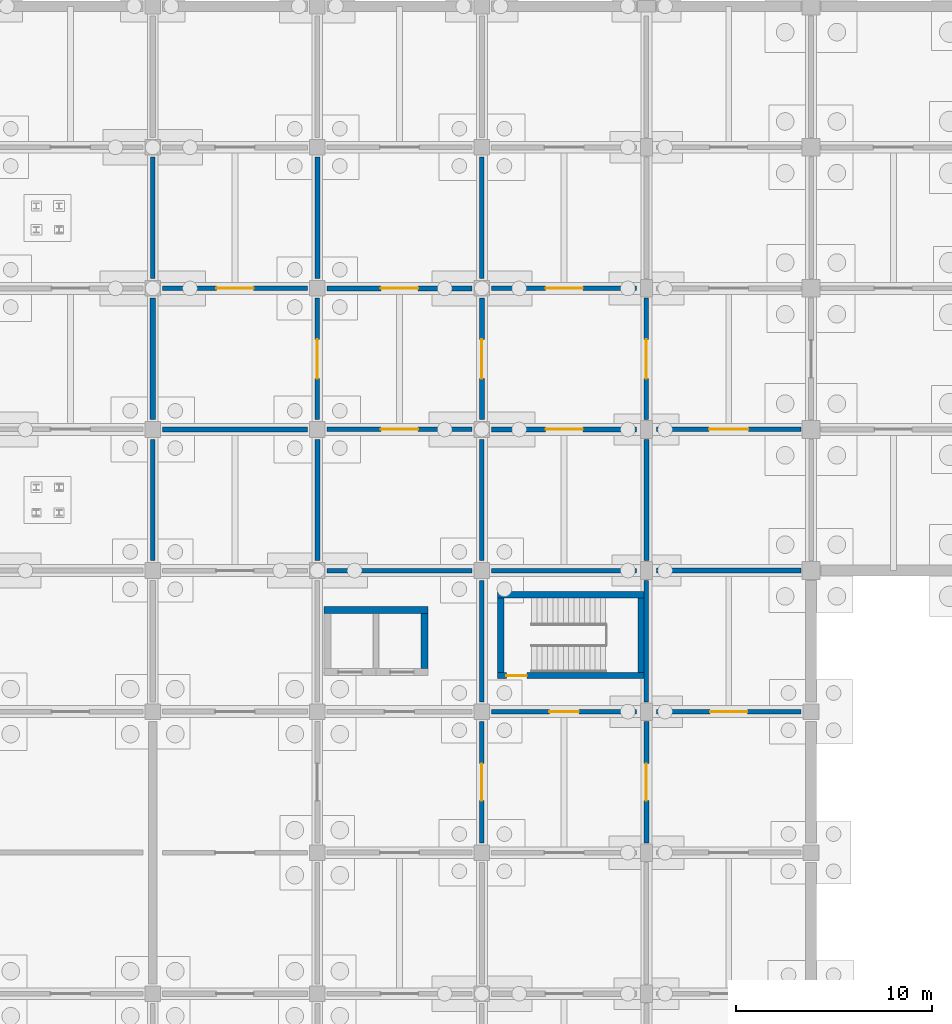
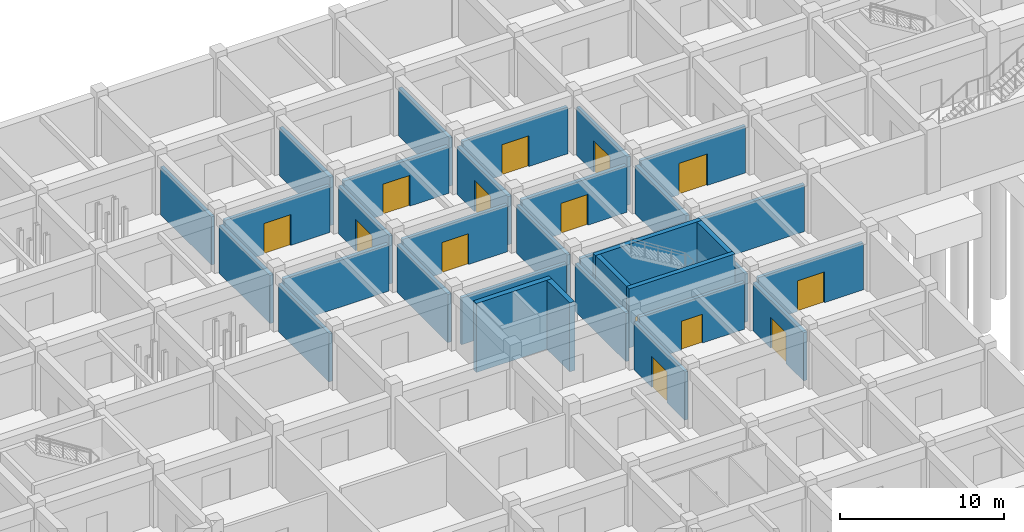
# One storey, part 27 of 38: 33 walls, 14 doors, 14 openings.
"""IFC4 building model written with IfcOpenShell, lengths in metres."""

from ifc_helpers import new_model, si_unit, derived_unit, direction, frame, frame_2d, origin, place, context, subcontext, project, spatial, rectangle, extrude, material, layer, layer_set, type_object, element, fill, save


model = new_model("IFC4")

# Units and contexts
model_context = context("Model", 3, precision=1e-05, world=origin(), true_north=direction((0.0, 1.0)))
body_context = subcontext(model_context, "Body", "Model", "MODEL_VIEW")
ifc_project = project(units=[si_unit("LENGTHUNIT", "METRE"), si_unit("AREAUNIT", "SQUARE_METRE"), si_unit("VOLUMEUNIT", "CUBIC_METRE"), si_unit("PLANEANGLEUNIT", "RADIAN"), si_unit("MASSUNIT", "GRAM", prefix="KILO"), derived_unit("THERMALTRANSMITTANCEUNIT", [(si_unit("MASSUNIT", "GRAM", prefix="KILO"), 1), (si_unit("TIMEUNIT", "SECOND"), -3), (si_unit("THERMODYNAMICTEMPERATUREUNIT", "KELVIN"), -1)])], contexts=[model_context])

# Site, building, storey
site_placement = place(None, origin())
site = spatial("IfcSite", under=ifc_project, at=site_placement, CompositionType="ELEMENT")
building_placement = place(site_placement, origin())
building = spatial("IfcBuilding", under=site, at=building_placement, Name="Veldstrom Oceanarium and Marine Research Institute", CompositionType="ELEMENT")
storey_placement = place(building_placement, frame((0.0, 0.0, -9.60009765625)))
storey = spatial("IfcBuildingStorey", under=building, at=storey_placement, Name="B02", CompositionType="ELEMENT", Elevation=-9.60009765625)

# Walls
ifc_material_1 = material(Name="Masonry Fire Compartment Wall", Category="masonry")
ifc_layer_1 = layer(ifc_material_1, 0.22998046875)
ifc_layer_set_1 = layer_set([ifc_layer_1], Name="ARC-WAL-PT1")
wall_type_1 = type_object("IfcWallType", Name="ARC-WAL-PT1", PredefinedType="PARTITIONING", material=ifc_layer_set_1)
for number, where, z_axis, x_axis, name in (
    (1, (33.60009765625, 43.699951171875, 0.0), (0.0, 0.0, 1.0), (0.0, 1.0, 0.0), "Interior Partition PT1 B02-0071"),
    (2, (33.60009765625, 58.10009765625, 0.0), (0.0, 0.0, 1.0), (0.0, 1.0, 0.0), "Interior Partition PT1 B02-0075"),
):
    element("IfcWall", number, at=place(storey_placement, frame(where, z_axis=z_axis, x_axis=x_axis)), inside=storey, type_object=wall_type_1, Name=name, PredefinedType="PARTITIONING", context=body_context, shape_type="SweptSolid", body=[
        extrude(rectangle(XDim=6.199951171875, YDim=0.22998046875, at=frame_2d((3.10009765625, 0.0))), origin(), (0.0, 0.0, 1.0), 3.59521484375),
    ])

# Wall, opening, door
wall_1_placement = place(storey_placement, frame((42.0, 50.89990234375, 0.0), z_axis=(0.0, 0.0, 1.0), x_axis=(0.0, 1.0, 0.0)))
wall_1 = element("IfcWall", 3, at=wall_1_placement, inside=storey, type_object=wall_type_1, Name="Interior Partition PT1 B02-0092", PredefinedType="PARTITIONING", context=body_context, shape_type="SweptSolid", body=[
    extrude(rectangle(XDim=6.2001953125, YDim=0.22998046875, at=frame_2d((3.10009765625, 0.0))), origin(), (0.0, 0.0, 1.0), 3.59521484375),
])
opening_1_placement = place(wall_1_placement, frame((2.10009765625, 0.0, 0.0)))
opening_1 = element("IfcOpeningElement", 4, at=opening_1_placement, cuts=wall_1, Name="Opening D-B02-053", PredefinedType="OPENING", context=body_context, shape_type="SweptSolid", body=[
    extrude(rectangle(XDim=2.0, YDim=2.35009765625, at=frame_2d((1.0, 1.175048828125))), frame((0.0, 0.125, 0.0), z_axis=(0.0, -1.0, 0.0), x_axis=(1.0, 0.0, 0.0)), (0.0, 0.0, 1.0), 0.25),
])
ifc_material_2 = material(Name="Filtration Hall Double Door", Category="steel")
door_type_1 = type_object("IfcDoorType", Name="ARC-DOR-ID18", OperationType="DOUBLE_DOOR_SINGLE_SWING", PredefinedType="DOOR", material=ifc_material_2)
door_1_placement = place(opening_1_placement, origin())
door_1 = element("IfcDoor", 5, at=door_1_placement, inside=storey, type_object=door_type_1, Name="Interior Door D-B02-053", OperationType="DOUBLE_DOOR_SINGLE_SWING", OverallHeight=2.35009765625, OverallWidth=2.0, PredefinedType="DOOR", context=body_context, shape_type="SweptSolid", body=[
    extrude(rectangle(XDim=2.0, YDim=2.35009765625, at=frame_2d((1.0, 1.175048828125))), frame((0.0, 0.02490234375, 0.0), z_axis=(0.0, -1.0, 0.0), x_axis=(1.0, 0.0, 0.0)), (0.0, 0.0, 1.0), 0.050048828125),
])
fill(opening_1, door_1)

wall_2_placement = place(storey_placement, frame((34.10009765625, 57.60009765625, 0.0), z_axis=(0.0, 0.0, 1.0), x_axis=(1.0, 0.0, 0.0)))
wall_2 = element("IfcWall", 6, at=wall_2_placement, inside=storey, type_object=wall_type_1, Name="Interior Partition PT1 B02-0093", PredefinedType="PARTITIONING", context=body_context, shape_type="SweptSolid", body=[
    extrude(rectangle(XDim=7.39990234375, YDim=0.22998046875, at=frame_2d((3.699951171875, 0.0))), origin(), (0.0, 0.0, 1.0), 3.4951171875),
])
opening_2_placement = place(wall_2_placement, frame((2.75, 0.0, 0.0)))
opening_2 = element("IfcOpeningElement", 7, at=opening_2_placement, cuts=wall_2, Name="Opening D-B02-054", PredefinedType="OPENING", context=body_context, shape_type="SweptSolid", body=[
    extrude(rectangle(XDim=1.89990234375, YDim=2.300048828125, at=frame_2d((0.949951171875, 1.14990234375))), frame((0.0, 0.125, 0.0), z_axis=(0.0, -1.0, 0.0), x_axis=(1.0, 0.0, 0.0)), (0.0, 0.0, 1.0), 0.25),
])
ifc_material_3 = material(Name="Plant Hall Equipment Door", Category="steel")
door_type_2 = type_object("IfcDoorType", Name="ARC-DOR-ID12", OperationType="DOUBLE_DOOR_SINGLE_SWING", PredefinedType="DOOR", material=ifc_material_3)
door_2_placement = place(opening_2_placement, frame((1.89990234375, 0.0, 0.0), z_axis=(0.0, 0.0, 1.0), x_axis=(-1.0, 0.0, 0.0)))
door_2 = element("IfcDoor", 8, at=door_2_placement, inside=storey, type_object=door_type_2, Name="Interior Door D-B02-054", OperationType="DOUBLE_DOOR_SINGLE_SWING", OverallHeight=2.300048828125, OverallWidth=1.89990234375, PredefinedType="DOOR", context=body_context, shape_type="SweptSolid", body=[
    extrude(rectangle(XDim=1.89990234375, YDim=2.300048828125, at=frame_2d((0.949951171875, 1.14990234375))), frame((0.0, 0.02490234375, 0.0), z_axis=(0.0, -1.0, 0.0), x_axis=(1.0, 0.0, 0.0)), (0.0, 0.0, 1.0), 0.050048828125),
])
fill(opening_2, door_2)

wall_3_placement = place(storey_placement, frame((50.39990234375, 29.300048828125, 0.0), z_axis=(0.0, 0.0, 1.0), x_axis=(0.0, 1.0, 0.0)))
wall_3 = element("IfcWall", 9, at=wall_3_placement, inside=storey, type_object=wall_type_1, Name="Interior Partition PT1 B02-0105", PredefinedType="PARTITIONING", context=body_context, shape_type="SweptSolid", body=[
    extrude(rectangle(XDim=6.199951171875, YDim=0.22998046875, at=frame_2d((3.10009765625, 0.0))), origin(), (0.0, 0.0, 1.0), 3.59521484375),
])
opening_3_placement = place(wall_3_placement, frame((2.14990234375, 0.0, 0.0)))
opening_3 = element("IfcOpeningElement", 10, at=opening_3_placement, cuts=wall_3, Name="Opening D-B02-060", PredefinedType="OPENING", context=body_context, shape_type="SweptSolid", body=[
    extrude(rectangle(XDim=1.89990234375, YDim=2.300048828125, at=frame_2d((0.949951171875, 1.14990234375))), frame((0.0, 0.125, 0.0), z_axis=(0.0, -1.0, 0.0), x_axis=(1.0, 0.0, 0.0)), (0.0, 0.0, 1.0), 0.25),
])
door_3_placement = place(opening_3_placement, origin())
door_3 = element("IfcDoor", 11, at=door_3_placement, inside=storey, type_object=door_type_2, Name="Interior Door D-B02-060", OperationType="DOUBLE_DOOR_SINGLE_SWING", OverallHeight=2.300048828125, OverallWidth=1.89990234375, PredefinedType="DOOR", context=body_context, shape_type="SweptSolid", body=[
    extrude(rectangle(XDim=1.89990234375, YDim=2.300048828125, at=frame_2d((0.949951171875, 1.14990234375))), frame((0.0, 0.02490234375, 0.0), z_axis=(0.0, -1.0, 0.0), x_axis=(1.0, 0.0, 0.0)), (0.0, 0.0, 1.0), 0.050048828125),
])
fill(opening_3, door_3)

# Walls
wall_4_placement = place(storey_placement, frame((50.39990234375, 36.5, 0.0), z_axis=(0.0, 0.0, 1.0), x_axis=(0.0, 1.0, 0.0)))
element("IfcWall", 12, at=wall_4_placement, inside=storey, type_object=wall_type_1, Name="Interior Partition PT1 B02-0107", PredefinedType="PARTITIONING", context=body_context, shape_type="SweptSolid", body=[
    extrude(rectangle(XDim=6.199951171875, YDim=0.22998046875, at=frame_2d((3.10009765625, 0.0))), origin(), (0.0, 0.0, 1.0), 3.59521484375),
])
wall_5_placement = place(storey_placement, frame((42.5, 43.199951171875, 0.0), z_axis=(0.0, 0.0, 1.0), x_axis=(1.0, 0.0, 0.0)))
element("IfcWall", 13, at=wall_5_placement, inside=storey, type_object=wall_type_1, Name="Interior Partition PT1 B02-0108", PredefinedType="PARTITIONING", context=body_context, shape_type="SweptSolid", body=[
    extrude(rectangle(XDim=7.39990234375, YDim=0.22998046875, at=frame_2d((3.699951171875, 0.0))), origin(), (0.0, 0.0, 1.0), 3.4951171875),
])
wall_6_placement = place(storey_placement, frame((50.39990234375, 43.699951171875, 0.0), z_axis=(0.0, 0.0, 1.0), x_axis=(0.0, 1.0, 0.0)))
element("IfcWall", 14, at=wall_6_placement, inside=storey, type_object=wall_type_1, Name="Interior Partition PT1 B02-0109", PredefinedType="PARTITIONING", context=body_context, shape_type="SweptSolid", body=[
    extrude(rectangle(XDim=6.199951171875, YDim=0.22998046875, at=frame_2d((3.10009765625, 0.0))), origin(), (0.0, 0.0, 1.0), 3.59521484375),
])

# Wall, opening, door
wall_7_placement = place(storey_placement, frame((42.5, 50.39990234375, 0.0), z_axis=(0.0, 0.0, 1.0), x_axis=(1.0, 0.0, 0.0)))
wall_7 = element("IfcWall", 15, at=wall_7_placement, inside=storey, type_object=wall_type_1, Name="Interior Partition PT1 B02-0110", PredefinedType="PARTITIONING", context=body_context, shape_type="SweptSolid", body=[
    extrude(rectangle(XDim=7.39990234375, YDim=0.22998046875, at=frame_2d((3.699951171875, 0.0))), origin(), (0.0, 0.0, 1.0), 3.4951171875),
])
opening_4_placement = place(wall_7_placement, frame((2.75, 0.0, 0.0)))
opening_4 = element("IfcOpeningElement", 16, at=opening_4_placement, cuts=wall_7, Name="Opening D-B02-062", PredefinedType="OPENING", context=body_context, shape_type="SweptSolid", body=[
    extrude(rectangle(XDim=1.89990234375, YDim=2.300048828125, at=frame_2d((0.949951171875, 1.14990234375))), frame((0.0, 0.125, 0.0), z_axis=(0.0, -1.0, 0.0), x_axis=(1.0, 0.0, 0.0)), (0.0, 0.0, 1.0), 0.25),
])
door_4_placement = place(opening_4_placement, frame((1.89990234375, 0.0, 0.0), z_axis=(0.0, 0.0, 1.0), x_axis=(-1.0, 0.0, 0.0)))
door_4 = element("IfcDoor", 17, at=door_4_placement, inside=storey, type_object=door_type_2, Name="Interior Door D-B02-062", OperationType="DOUBLE_DOOR_SINGLE_SWING", OverallHeight=2.300048828125, OverallWidth=1.89990234375, PredefinedType="DOOR", context=body_context, shape_type="SweptSolid", body=[
    extrude(rectangle(XDim=1.89990234375, YDim=2.300048828125, at=frame_2d((0.949951171875, 1.14990234375))), frame((0.0, 0.02490234375, 0.0), z_axis=(0.0, -1.0, 0.0), x_axis=(1.0, 0.0, 0.0)), (0.0, 0.0, 1.0), 0.050048828125),
])
fill(opening_4, door_4)

# Wall
wall_8_placement = place(storey_placement, frame((50.39990234375, 58.10009765625, 0.0), z_axis=(0.0, 0.0, 1.0), x_axis=(0.0, 1.0, 0.0)))
element("IfcWall", 18, at=wall_8_placement, inside=storey, type_object=wall_type_1, Name="Interior Partition PT1 B02-0113", PredefinedType="PARTITIONING", context=body_context, shape_type="SweptSolid", body=[
    extrude(rectangle(XDim=6.199951171875, YDim=0.22998046875, at=frame_2d((3.10009765625, 0.0))), origin(), (0.0, 0.0, 1.0), 3.59521484375),
])

# Wall, opening, door
wall_9_placement = place(storey_placement, frame((50.89990234375, 36.0, 0.0), z_axis=(0.0, 0.0, 1.0), x_axis=(1.0, 0.0, 0.0)))
wall_9 = element("IfcWall", 19, at=wall_9_placement, inside=storey, type_object=wall_type_1, Name="Interior Partition PT1 B02-0125", PredefinedType="PARTITIONING", context=body_context, shape_type="SweptSolid", body=[
    extrude(rectangle(XDim=7.400146484375, YDim=0.22998046875, at=frame_2d((3.7001953125, 0.0))), origin(), (0.0, 0.0, 1.0), 3.4951171875),
])
opening_5_placement = place(wall_9_placement, frame((2.949951171875, 0.0, 0.0)))
opening_5 = element("IfcOpeningElement", 20, at=opening_5_placement, cuts=wall_9, Name="Opening D-B02-071", PredefinedType="OPENING", context=body_context, shape_type="SweptSolid", body=[
    extrude(rectangle(XDim=1.5, YDim=2.14990234375, at=frame_2d((0.75, 1.074951171875))), frame((0.0, 0.125, 0.0), z_axis=(0.0, -1.0, 0.0), x_axis=(1.0, 0.0, 0.0)), (0.0, 0.0, 1.0), 0.25),
])
ifc_material_4 = material(Name="Painted Steel Lobby Fire Door", Category="steel")
door_type_3 = type_object("IfcDoorType", Name="ARC-DOR-SD2", OperationType="DOUBLE_DOOR_SINGLE_SWING", PredefinedType="DOOR", material=ifc_material_4)
door_5_placement = place(opening_5_placement, frame((1.5, 0.0, 0.0), z_axis=(0.0, 0.0, 1.0), x_axis=(-1.0, 0.0, 0.0)))
door_5 = element("IfcDoor", 21, at=door_5_placement, inside=storey, type_object=door_type_3, Name="Interior Door D-B02-071", OperationType="DOUBLE_DOOR_SINGLE_SWING", OverallHeight=2.14990234375, OverallWidth=1.5, PredefinedType="DOOR", context=body_context, shape_type="SweptSolid", body=[
    extrude(rectangle(XDim=1.5, YDim=2.14990234375, at=frame_2d((0.75, 1.074951171875))), frame((0.0, 0.02490234375, 0.0), z_axis=(0.0, -1.0, 0.0), x_axis=(1.0, 0.0, 0.0)), (0.0, 0.0, 1.0), 0.050048828125),
])
fill(opening_5, door_5)

# Walls
wall_10_placement = place(storey_placement, frame((58.800048828125, 36.5, 0.0), z_axis=(0.0, 0.0, 1.0), x_axis=(0.0, 1.0, 0.0)))
element("IfcWall", 22, at=wall_10_placement, inside=storey, type_object=wall_type_1, Name="Interior Partition PT1 B02-0126", PredefinedType="PARTITIONING", context=body_context, shape_type="SweptSolid", body=[
    extrude(rectangle(XDim=6.199951171875, YDim=0.22998046875, at=frame_2d((3.10009765625, 0.0))), origin(), (0.0, 0.0, 1.0), 3.59521484375),
])
wall_11_placement = place(storey_placement, frame((50.89990234375, 43.199951171875, 0.0), z_axis=(0.0, 0.0, 1.0), x_axis=(1.0, 0.0, 0.0)))
element("IfcWall", 23, at=wall_11_placement, inside=storey, type_object=wall_type_1, Name="Interior Partition PT1 B02-0127", PredefinedType="PARTITIONING", context=body_context, shape_type="SweptSolid", body=[
    extrude(rectangle(XDim=7.400146484375, YDim=0.22998046875, at=frame_2d((3.7001953125, 0.0))), origin(), (0.0, 0.0, 1.0), 3.4951171875),
])

# Wall, opening, door
wall_12_placement = place(storey_placement, frame((58.800048828125, 50.89990234375, 0.0), z_axis=(0.0, 0.0, 1.0), x_axis=(0.0, 1.0, 0.0)))
wall_12 = element("IfcWall", 24, at=wall_12_placement, inside=storey, type_object=wall_type_1, Name="Interior Partition PT1 B02-0130", PredefinedType="PARTITIONING", context=body_context, shape_type="SweptSolid", body=[
    extrude(rectangle(XDim=6.2001953125, YDim=0.22998046875, at=frame_2d((3.10009765625, 0.0))), origin(), (0.0, 0.0, 1.0), 3.59521484375),
])
opening_6_placement = place(wall_12_placement, frame((2.10009765625, 0.0, 0.0)))
opening_6 = element("IfcOpeningElement", 25, at=opening_6_placement, cuts=wall_12, Name="Opening D-B02-073", PredefinedType="OPENING", context=body_context, shape_type="SweptSolid", body=[
    extrude(rectangle(XDim=2.0, YDim=2.35009765625, at=frame_2d((1.0, 1.175048828125))), frame((0.0, 0.125, 0.0), z_axis=(0.0, -1.0, 0.0), x_axis=(1.0, 0.0, 0.0)), (0.0, 0.0, 1.0), 0.25),
])
door_6_placement = place(opening_6_placement, origin())
door_6 = element("IfcDoor", 26, at=door_6_placement, inside=storey, type_object=door_type_1, Name="Interior Door D-B02-073", OperationType="DOUBLE_DOOR_SINGLE_SWING", OverallHeight=2.35009765625, OverallWidth=2.0, PredefinedType="DOOR", context=body_context, shape_type="SweptSolid", body=[
    extrude(rectangle(XDim=2.0, YDim=2.35009765625, at=frame_2d((1.0, 1.175048828125))), frame((0.0, 0.02490234375, 0.0), z_axis=(0.0, -1.0, 0.0), x_axis=(1.0, 0.0, 0.0)), (0.0, 0.0, 1.0), 0.050048828125),
])
fill(opening_6, door_6)

wall_13_placement = place(storey_placement, frame((50.89990234375, 57.60009765625, 0.0), z_axis=(0.0, 0.0, 1.0), x_axis=(1.0, 0.0, 0.0)))
wall_13 = element("IfcWall", 27, at=wall_13_placement, inside=storey, type_object=wall_type_1, Name="Interior Partition PT1 B02-0131", PredefinedType="PARTITIONING", context=body_context, shape_type="SweptSolid", body=[
    extrude(rectangle(XDim=7.400146484375, YDim=0.22998046875, at=frame_2d((3.7001953125, 0.0))), origin(), (0.0, 0.0, 1.0), 3.4951171875),
])
opening_7_placement = place(wall_13_placement, frame((2.75, 0.0, 0.0)))
opening_7 = element("IfcOpeningElement", 28, at=opening_7_placement, cuts=wall_13, Name="Opening D-B02-074", PredefinedType="OPENING", context=body_context, shape_type="SweptSolid", body=[
    extrude(rectangle(XDim=1.89990234375, YDim=2.300048828125, at=frame_2d((0.949951171875, 1.14990234375))), frame((0.0, 0.125, 0.0), z_axis=(0.0, -1.0, 0.0), x_axis=(1.0, 0.0, 0.0)), (0.0, 0.0, 1.0), 0.25),
])
door_7_placement = place(opening_7_placement, frame((1.89990234375, 0.0, 0.0), z_axis=(0.0, 0.0, 1.0), x_axis=(-1.0, 0.0, 0.0)))
door_7 = element("IfcDoor", 29, at=door_7_placement, inside=storey, type_object=door_type_2, Name="Interior Door D-B02-074", OperationType="DOUBLE_DOOR_SINGLE_SWING", OverallHeight=2.300048828125, OverallWidth=1.89990234375, PredefinedType="DOOR", context=body_context, shape_type="SweptSolid", body=[
    extrude(rectangle(XDim=1.89990234375, YDim=2.300048828125, at=frame_2d((0.949951171875, 1.14990234375))), frame((0.0, 0.02490234375, 0.0), z_axis=(0.0, -1.0, 0.0), x_axis=(1.0, 0.0, 0.0)), (0.0, 0.0, 1.0), 0.050048828125),
])
fill(opening_7, door_7)

wall_14_placement = place(storey_placement, frame((59.300048828125, 36.0, 0.0), z_axis=(0.0, 0.0, 1.0), x_axis=(1.0, 0.0, 0.0)))
wall_14 = element("IfcWall", 30, at=wall_14_placement, inside=storey, type_object=wall_type_1, Name="Interior Partition PT1 B02-0139", PredefinedType="PARTITIONING", context=body_context, shape_type="SweptSolid", body=[
    extrude(rectangle(XDim=7.39990234375, YDim=0.22998046875, at=frame_2d((3.699951171875, 0.0))), origin(), (0.0, 0.0, 1.0), 3.4951171875),
])
opening_8_placement = place(wall_14_placement, frame((2.75, 0.0, 0.0)))
opening_8 = element("IfcOpeningElement", 31, at=opening_8_placement, cuts=wall_14, Name="Opening D-B02-080", PredefinedType="OPENING", context=body_context, shape_type="SweptSolid", body=[
    extrude(rectangle(XDim=1.89990234375, YDim=2.300048828125, at=frame_2d((0.949951171875, 1.14990234375))), frame((0.0, 0.125, 0.0), z_axis=(0.0, -1.0, 0.0), x_axis=(1.0, 0.0, 0.0)), (0.0, 0.0, 1.0), 0.25),
])
door_8_placement = place(opening_8_placement, frame((1.89990234375, 0.0, 0.0), z_axis=(0.0, 0.0, 1.0), x_axis=(-1.0, 0.0, 0.0)))
door_8 = element("IfcDoor", 32, at=door_8_placement, inside=storey, type_object=door_type_2, Name="Interior Door D-B02-080", OperationType="DOUBLE_DOOR_SINGLE_SWING", OverallHeight=2.300048828125, OverallWidth=1.89990234375, PredefinedType="DOOR", context=body_context, shape_type="SweptSolid", body=[
    extrude(rectangle(XDim=1.89990234375, YDim=2.300048828125, at=frame_2d((0.949951171875, 1.14990234375))), frame((0.0, 0.02490234375, 0.0), z_axis=(0.0, -1.0, 0.0), x_axis=(1.0, 0.0, 0.0)), (0.0, 0.0, 1.0), 0.050048828125),
])
fill(opening_8, door_8)

wall_15_placement = place(storey_placement, frame((59.300048828125, 50.39990234375, 0.0), z_axis=(0.0, 0.0, 1.0), x_axis=(1.0, 0.0, 0.0)))
wall_15 = element("IfcWall", 33, at=wall_15_placement, inside=storey, type_object=wall_type_1, Name="Interior Partition PT1 B02-0142", PredefinedType="PARTITIONING", context=body_context, shape_type="SweptSolid", body=[
    extrude(rectangle(XDim=7.39990234375, YDim=0.22998046875, at=frame_2d((3.699951171875, 0.0))), origin(), (0.0, 0.0, 1.0), 3.4951171875),
])
opening_9_placement = place(wall_15_placement, frame((2.699951171875, 0.0, 0.0)))
opening_9 = element("IfcOpeningElement", 34, at=opening_9_placement, cuts=wall_15, Name="Opening D-B02-081", PredefinedType="OPENING", context=body_context, shape_type="SweptSolid", body=[
    extrude(rectangle(XDim=2.0, YDim=2.35009765625, at=frame_2d((1.0, 1.175048828125))), frame((0.0, 0.125, 0.0), z_axis=(0.0, -1.0, 0.0), x_axis=(1.0, 0.0, 0.0)), (0.0, 0.0, 1.0), 0.25),
])
door_9_placement = place(opening_9_placement, frame((2.0, 0.0, 0.0), z_axis=(0.0, 0.0, 1.0), x_axis=(-1.0, 0.0, 0.0)))
door_9 = element("IfcDoor", 35, at=door_9_placement, inside=storey, type_object=door_type_1, Name="Interior Door D-B02-081", OperationType="DOUBLE_DOOR_SINGLE_SWING", OverallHeight=2.35009765625, OverallWidth=2.0, PredefinedType="DOOR", context=body_context, shape_type="SweptSolid", body=[
    extrude(rectangle(XDim=2.0, YDim=2.35009765625, at=frame_2d((1.0, 1.175048828125))), frame((0.0, 0.02490234375, 0.0), z_axis=(0.0, -1.0, 0.0), x_axis=(1.0, 0.0, 0.0)), (0.0, 0.0, 1.0), 0.050048828125),
])
fill(opening_9, door_9)

# Walls
ifc_material_5 = material(Name="Plant Acoustic Masonry Wall", Category="masonry")
ifc_layer_2 = layer(ifc_material_5, 0.260009765625)
ifc_layer_set_2 = layer_set([ifc_layer_2], Name="ARC-WAL-PT8")
wall_type_2 = type_object("IfcWallType", Name="ARC-WAL-PT8", PredefinedType="PARTITIONING", material=ifc_layer_set_2)
wall_16_placement = place(storey_placement, frame((33.60009765625, 50.89990234375, 0.0), z_axis=(0.0, 0.0, 1.0), x_axis=(0.0, 1.0, 0.0)))
element("IfcWall", 36, at=wall_16_placement, inside=storey, type_object=wall_type_2, Name="Interior Partition PT8 B02-0073", PredefinedType="PARTITIONING", context=body_context, shape_type="SweptSolid", body=[
    extrude(rectangle(XDim=6.2001953125, YDim=0.260009765625, at=frame_2d((3.10009765625, 0.0))), origin(), (0.0, 0.0, 1.0), 3.59521484375),
])
wall_17_placement = place(storey_placement, frame((42.0, 43.699951171875, 0.0), z_axis=(0.0, 0.0, 1.0), x_axis=(0.0, 1.0, 0.0)))
element("IfcWall", 37, at=wall_17_placement, inside=storey, type_object=wall_type_2, Name="Interior Partition PT8 B02-0090", PredefinedType="PARTITIONING", context=body_context, shape_type="SweptSolid", body=[
    extrude(rectangle(XDim=6.199951171875, YDim=0.260009765625, at=frame_2d((3.10009765625, 0.0))), origin(), (0.0, 0.0, 1.0), 3.59521484375),
])
wall_18_placement = place(storey_placement, frame((34.10009765625, 50.39990234375, 0.0), z_axis=(0.0, 0.0, 1.0), x_axis=(1.0, 0.0, 0.0)))
element("IfcWall", 38, at=wall_18_placement, inside=storey, type_object=wall_type_2, Name="Interior Partition PT8 B02-0091", PredefinedType="PARTITIONING", context=body_context, shape_type="SweptSolid", body=[
    extrude(rectangle(XDim=7.39990234375, YDim=0.260009765625, at=frame_2d((3.699951171875, 0.0))), origin(), (0.0, 0.0, 1.0), 3.4951171875),
])
wall_19_placement = place(storey_placement, frame((42.0, 58.10009765625, 0.0), z_axis=(0.0, 0.0, 1.0), x_axis=(0.0, 1.0, 0.0)))
element("IfcWall", 39, at=wall_19_placement, inside=storey, type_object=wall_type_2, Name="Interior Partition PT8 B02-0094", PredefinedType="PARTITIONING", context=body_context, shape_type="SweptSolid", body=[
    extrude(rectangle(XDim=6.199951171875, YDim=0.260009765625, at=frame_2d((3.10009765625, 0.0))), origin(), (0.0, 0.0, 1.0), 3.59521484375),
])

# Wall, opening, door
wall_20_placement = place(storey_placement, frame((50.39990234375, 50.89990234375, 0.0), z_axis=(0.0, 0.0, 1.0), x_axis=(0.0, 1.0, 0.0)))
wall_20 = element("IfcWall", 40, at=wall_20_placement, inside=storey, type_object=wall_type_2, Name="Interior Partition PT8 B02-0111", PredefinedType="PARTITIONING", context=body_context, shape_type="SweptSolid", body=[
    extrude(rectangle(XDim=6.2001953125, YDim=0.260009765625, at=frame_2d((3.10009765625, 0.0))), origin(), (0.0, 0.0, 1.0), 3.59521484375),
])
opening_10_placement = place(wall_20_placement, frame((2.10009765625, 0.0, 0.0)))
opening_10 = element("IfcOpeningElement", 41, at=opening_10_placement, cuts=wall_20, Name="Opening D-B02-063", PredefinedType="OPENING", context=body_context, shape_type="SweptSolid", body=[
    extrude(rectangle(XDim=2.0, YDim=2.35009765625, at=frame_2d((1.0, 1.175048828125))), frame((0.0, 0.139892578125, 0.0), z_axis=(0.0, -1.0, 0.0), x_axis=(1.0, 0.0, 0.0)), (0.0, 0.0, 1.0), 0.280029296875),
])
door_10_placement = place(opening_10_placement, frame((2.0, 0.0, 0.0), z_axis=(0.0, 0.0, 1.0), x_axis=(-1.0, 0.0, 0.0)))
door_10 = element("IfcDoor", 42, at=door_10_placement, inside=storey, type_object=door_type_1, Name="Interior Door D-B02-063", OperationType="DOUBLE_DOOR_SINGLE_SWING", OverallHeight=2.35009765625, OverallWidth=2.0, PredefinedType="DOOR", context=body_context, shape_type="SweptSolid", body=[
    extrude(rectangle(XDim=2.0, YDim=2.35009765625, at=frame_2d((1.0, 1.175048828125))), frame((0.0, 0.02490234375, 0.0), z_axis=(0.0, -1.0, 0.0), x_axis=(1.0, 0.0, 0.0)), (0.0, 0.0, 1.0), 0.050048828125),
])
fill(opening_10, door_10)

wall_21_placement = place(storey_placement, frame((42.5, 57.60009765625, 0.0), z_axis=(0.0, 0.0, 1.0), x_axis=(1.0, 0.0, 0.0)))
wall_21 = element("IfcWall", 43, at=wall_21_placement, inside=storey, type_object=wall_type_2, Name="Interior Partition PT8 B02-0112", PredefinedType="PARTITIONING", context=body_context, shape_type="SweptSolid", body=[
    extrude(rectangle(XDim=7.39990234375, YDim=0.260009765625, at=frame_2d((3.699951171875, 0.0))), origin(), (0.0, 0.0, 1.0), 3.4951171875),
])
opening_11_placement = place(wall_21_placement, frame((2.75, 0.0, 0.0)))
opening_11 = element("IfcOpeningElement", 44, at=opening_11_placement, cuts=wall_21, Name="Opening D-B02-064", PredefinedType="OPENING", context=body_context, shape_type="SweptSolid", body=[
    extrude(rectangle(XDim=1.89990234375, YDim=2.300048828125, at=frame_2d((0.949951171875, 1.14990234375))), frame((0.0, 0.139892578125, 0.0), z_axis=(0.0, -1.0, 0.0), x_axis=(1.0, 0.0, 0.0)), (0.0, 0.0, 1.0), 0.280029296875),
])
door_11_placement = place(opening_11_placement, origin())
door_11 = element("IfcDoor", 45, at=door_11_placement, inside=storey, type_object=door_type_2, Name="Interior Door D-B02-064", OperationType="DOUBLE_DOOR_SINGLE_SWING", OverallHeight=2.300048828125, OverallWidth=1.89990234375, PredefinedType="DOOR", context=body_context, shape_type="SweptSolid", body=[
    extrude(rectangle(XDim=1.89990234375, YDim=2.300048828125, at=frame_2d((0.949951171875, 1.14990234375))), frame((0.0, 0.02490234375, 0.0), z_axis=(0.0, -1.0, 0.0), x_axis=(1.0, 0.0, 0.0)), (0.0, 0.0, 1.0), 0.050048828125),
])
fill(opening_11, door_11)

wall_22_placement = place(storey_placement, frame((58.800048828125, 29.300048828125, 0.0), z_axis=(0.0, 0.0, 1.0), x_axis=(0.0, 1.0, 0.0)))
wall_22 = element("IfcWall", 46, at=wall_22_placement, inside=storey, type_object=wall_type_2, Name="Interior Partition PT8 B02-0124", PredefinedType="PARTITIONING", context=body_context, shape_type="SweptSolid", body=[
    extrude(rectangle(XDim=6.199951171875, YDim=0.260009765625, at=frame_2d((3.10009765625, 0.0))), origin(), (0.0, 0.0, 1.0), 3.59521484375),
])
opening_12_placement = place(wall_22_placement, frame((2.14990234375, 0.0, 0.0)))
opening_12 = element("IfcOpeningElement", 47, at=opening_12_placement, cuts=wall_22, Name="Opening D-B02-070", PredefinedType="OPENING", context=body_context, shape_type="SweptSolid", body=[
    extrude(rectangle(XDim=1.89990234375, YDim=2.300048828125, at=frame_2d((0.949951171875, 1.14990234375))), frame((0.0, 0.139892578125, 0.0), z_axis=(0.0, -1.0, 0.0), x_axis=(1.0, 0.0, 0.0)), (0.0, 0.0, 1.0), 0.280029296875),
])
door_12_placement = place(opening_12_placement, frame((1.89990234375, 0.0, 0.0), z_axis=(0.0, 0.0, 1.0), x_axis=(-1.0, 0.0, 0.0)))
door_12 = element("IfcDoor", 48, at=door_12_placement, inside=storey, type_object=door_type_2, Name="Interior Door D-B02-070", OperationType="DOUBLE_DOOR_SINGLE_SWING", OverallHeight=2.300048828125, OverallWidth=1.89990234375, PredefinedType="DOOR", context=body_context, shape_type="SweptSolid", body=[
    extrude(rectangle(XDim=1.89990234375, YDim=2.300048828125, at=frame_2d((0.949951171875, 1.14990234375))), frame((0.0, 0.02490234375, 0.0), z_axis=(0.0, -1.0, 0.0), x_axis=(1.0, 0.0, 0.0)), (0.0, 0.0, 1.0), 0.050048828125),
])
fill(opening_12, door_12)

# Wall
wall_23_placement = place(storey_placement, frame((58.800048828125, 43.699951171875, 0.0), z_axis=(0.0, 0.0, 1.0), x_axis=(0.0, 1.0, 0.0)))
element("IfcWall", 49, at=wall_23_placement, inside=storey, type_object=wall_type_2, Name="Interior Partition PT8 B02-0128", PredefinedType="PARTITIONING", context=body_context, shape_type="SweptSolid", body=[
    extrude(rectangle(XDim=6.199951171875, YDim=0.260009765625, at=frame_2d((3.10009765625, 0.0))), origin(), (0.0, 0.0, 1.0), 3.59521484375),
])

# Wall, opening, door
wall_24_placement = place(storey_placement, frame((50.89990234375, 50.39990234375, 0.0), z_axis=(0.0, 0.0, 1.0), x_axis=(1.0, 0.0, 0.0)))
wall_24 = element("IfcWall", 50, at=wall_24_placement, inside=storey, type_object=wall_type_2, Name="Interior Partition PT8 B02-0129", PredefinedType="PARTITIONING", context=body_context, shape_type="SweptSolid", body=[
    extrude(rectangle(XDim=7.400146484375, YDim=0.260009765625, at=frame_2d((3.7001953125, 0.0))), origin(), (0.0, 0.0, 1.0), 3.4951171875),
])
opening_13_placement = place(wall_24_placement, frame((2.75, 0.0, 0.0)))
opening_13 = element("IfcOpeningElement", 51, at=opening_13_placement, cuts=wall_24, Name="Opening D-B02-072", PredefinedType="OPENING", context=body_context, shape_type="SweptSolid", body=[
    extrude(rectangle(XDim=1.89990234375, YDim=2.300048828125, at=frame_2d((0.949951171875, 1.14990234375))), frame((0.0, 0.139892578125, 0.0), z_axis=(0.0, -1.0, 0.0), x_axis=(1.0, 0.0, 0.0)), (0.0, 0.0, 1.0), 0.280029296875),
])
door_13_placement = place(opening_13_placement, origin())
door_13 = element("IfcDoor", 52, at=door_13_placement, inside=storey, type_object=door_type_2, Name="Interior Door D-B02-072", OperationType="DOUBLE_DOOR_SINGLE_SWING", OverallHeight=2.300048828125, OverallWidth=1.89990234375, PredefinedType="DOOR", context=body_context, shape_type="SweptSolid", body=[
    extrude(rectangle(XDim=1.89990234375, YDim=2.300048828125, at=frame_2d((0.949951171875, 1.14990234375))), frame((0.0, 0.02490234375, 0.0), z_axis=(0.0, -1.0, 0.0), x_axis=(1.0, 0.0, 0.0)), (0.0, 0.0, 1.0), 0.050048828125),
])
fill(opening_13, door_13)

# Walls
wall_25_placement = place(storey_placement, frame((59.300048828125, 43.199951171875, 0.0), z_axis=(0.0, 0.0, 1.0), x_axis=(1.0, 0.0, 0.0)))
element("IfcWall", 53, at=wall_25_placement, inside=storey, type_object=wall_type_2, Name="Interior Partition PT8 B02-0140", PredefinedType="PARTITIONING", context=body_context, shape_type="SweptSolid", body=[
    extrude(rectangle(XDim=7.39990234375, YDim=0.260009765625, at=frame_2d((3.699951171875, 0.0))), origin(), (0.0, 0.0, 1.0), 3.4951171875),
])
ifc_material_6 = material(Name="Concrete C40/50", Category="concrete")
ifc_layer_3 = layer(ifc_material_6, 0.360107421875)
ifc_layer_set_3 = layer_set([ifc_layer_3], Name="STR-WAL-WC2")
wall_type_3 = type_object("IfcWallType", Name="STR-WAL-WC2", PredefinedType="SHEAR", material=ifc_layer_set_3)
wall_26_placement = place(storey_placement, frame((42.340087890625, 41.179931640625, -0.75), z_axis=(0.0, 0.0, 1.0), x_axis=(1.0, 0.0, 0.0)))
element("IfcWall", 54, at=wall_26_placement, inside=storey, type_object=wall_type_3, Name="Lift Shaft Shear Wall N B02 5/5", PredefinedType="SHEAR", context=body_context, shape_type="SweptSolid", body=[
    extrude(rectangle(XDim=5.31982421875, YDim=0.360107421875, at=frame_2d((2.659912109375, 0.0))), origin(), (0.0, 0.0, 1.0), 5.150146484375),
])
wall_27_placement = place(storey_placement, frame((47.47998046875, 38.199951171875, -0.75), z_axis=(0.0, 0.0, 1.0), x_axis=(0.0, 1.0, 0.0)))
element("IfcWall", 55, at=wall_27_placement, inside=storey, type_object=wall_type_3, Name="Lift Shaft Shear Wall E B02 5/5", PredefinedType="SHEAR", context=body_context, shape_type="SweptSolid", body=[
    extrude(rectangle(XDim=2.800048828125, YDim=0.360107421875, at=frame_2d((1.39990234375, 0.0))), origin(), (0.0, 0.0, 1.0), 5.150146484375),
])

# Wall, opening, door
ifc_material_7 = material(Name="Concrete C40/50", Category="concrete")
ifc_layer_4 = layer(ifc_material_7, 0.320068359375)
ifc_layer_set_4 = layer_set([ifc_layer_4], Name="STR-WAL-WC3")
wall_type_4 = type_object("IfcWallType", Name="STR-WAL-WC3", PredefinedType="SHEAR", material=ifc_layer_set_4)
wall_28_placement = place(storey_placement, frame((51.199951171875, 37.840087890625, 0.0), z_axis=(0.0, 0.0, 1.0), x_axis=(1.0, 0.0, 0.0)))
wall_28 = element("IfcWall", 56, at=wall_28_placement, inside=storey, type_object=wall_type_4, Name="Stair Core Shear Wall SC5-B02-S", PredefinedType="SHEAR", context=body_context, shape_type="SweptSolid", body=[
    extrude(rectangle(XDim=7.47998046875, YDim=0.320068359375, at=frame_2d((3.739990234375, 0.0))), origin(), (0.0, 0.0, 1.0), 4.400146484375),
])
opening_14_placement = place(wall_28_placement, frame((0.449951171875, 0.0, 0.0)))
opening_14 = element("IfcOpeningElement", 57, at=opening_14_placement, cuts=wall_28, Name="Opening D-ST5-B02", PredefinedType="OPENING", context=body_context, shape_type="SweptSolid", body=[
    extrude(rectangle(XDim=1.050048828125, YDim=2.14990234375, at=frame_2d((0.52490234375, 1.074951171875))), frame((0.0, 0.169921875, 0.0), z_axis=(0.0, -1.0, 0.0), x_axis=(1.0, 0.0, 0.0)), (0.0, 0.0, 1.0), 0.340087890625),
])
ifc_material_8 = material(Name="Painted Steel Fire Door", Category="steel")
door_type_4 = type_object("IfcDoorType", Name="ARC-DOR-SD1", OperationType="SINGLE_SWING_LEFT", PredefinedType="DOOR", material=ifc_material_8)
door_14_placement = place(opening_14_placement, origin())
door_14 = element("IfcDoor", 58, at=door_14_placement, inside=storey, type_object=door_type_4, Name="Escape Stair Fire Door D-ST5-B02", OperationType="SINGLE_SWING_LEFT", OverallHeight=2.14990234375, OverallWidth=1.050048828125, PredefinedType="DOOR", context=body_context, shape_type="SweptSolid", body=[
    extrude(rectangle(XDim=1.050048828125, YDim=2.14990234375, at=frame_2d((0.52490234375, 1.074951171875))), frame((0.0, 0.02490234375, 0.0), z_axis=(0.0, -1.0, 0.0), x_axis=(1.0, 0.0, 0.0)), (0.0, 0.0, 1.0), 0.050048828125),
])
fill(opening_14, door_14)

# Walls
wall_29_placement = place(storey_placement, frame((51.199951171875, 41.9599609375, 0.0), z_axis=(0.0, 0.0, 1.0), x_axis=(1.0, 0.0, 0.0)))
element("IfcWall", 59, at=wall_29_placement, inside=storey, type_object=wall_type_4, Name="Stair Core Shear Wall SC5-B02-N", PredefinedType="SHEAR", context=body_context, shape_type="SweptSolid", body=[
    extrude(rectangle(XDim=7.47998046875, YDim=0.320068359375, at=frame_2d((3.739990234375, 0.0))), origin(), (0.0, 0.0, 1.0), 4.400146484375),
])
for number, where, z_axis, x_axis, name in (
    (60, (51.360107421875, 38.0, 0.0), (0.0, 0.0, 1.0), (0.0, 1.0, 0.0), "Stair Core Shear Wall SC5-B02-W"),
    (61, (58.52001953125, 38.0, 0.0), (0.0, 0.0, 1.0), (0.0, 1.0, 0.0), "Stair Core Shear Wall SC5-B02-E"),
):
    element("IfcWall", number, at=place(storey_placement, frame(where, z_axis=z_axis, x_axis=x_axis)), inside=storey, type_object=wall_type_4, Name=name, PredefinedType="SHEAR", context=body_context, shape_type="SweptSolid", body=[
        extrude(rectangle(XDim=3.800048828125, YDim=0.320068359375, at=frame_2d((1.89990234375, 0.0))), origin(), (0.0, 0.0, 1.0), 4.400146484375),
    ])

save(model, "model.ifc")
